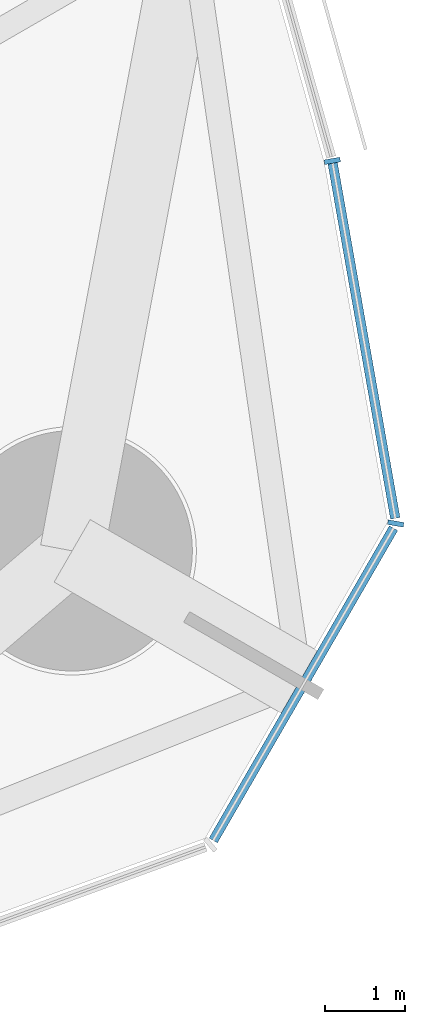
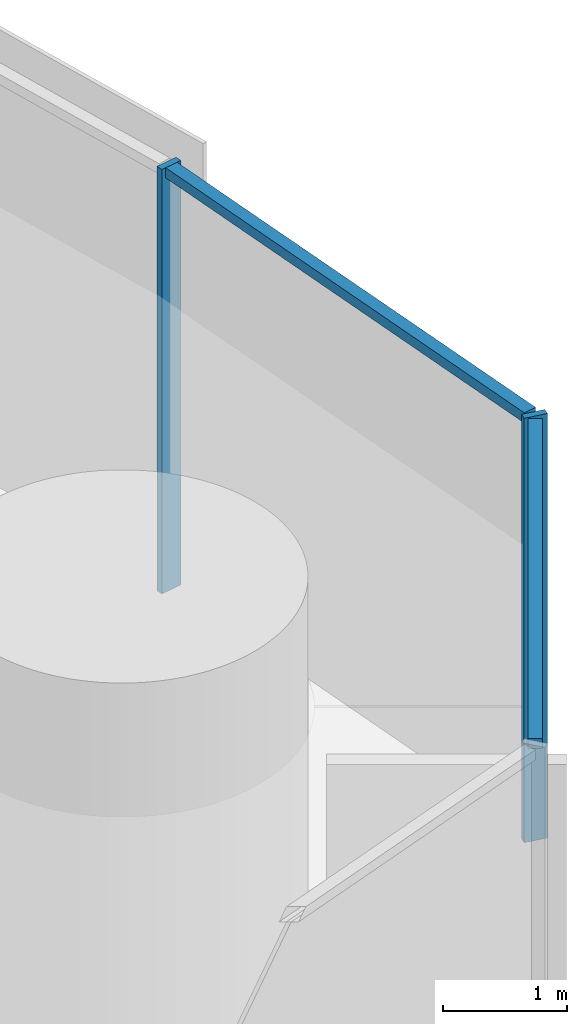
# One storey, part 9 of 19: 4 members, 1 element without a shape of its own.
"""IFC4 building model written with IfcOpenShell, lengths in metres."""

import ifcopenshell
import ifcopenshell.guid

model = None  # the IFC model being written
_history = None  # IfcOwnerHistory: only IFC2X3 demands one
_inside = {}  # id of a spatial element -> (the spatial element, [elements in it])
_under = {}  # id of a project, library or spatial element -> (it, [spatial elements below it])
_declared = {}  # id of a project -> (the project, [libraries it declares])
_typed = {}  # id of a type object -> (the type object, [elements of that type])
_made_of = {}  # id of a material, layer set ... -> (it, [elements and type objects made of it])


def new_model(schema):
    """Start an empty IFC model of exactly this schema.

    Asked for "IFC4X3", IfcOpenShell would pick the latest addendum, in which some entities
    have other attributes; the version numbers below select the first issue.
    IFC2X3 requires an IfcOwnerHistory on every rooted entity: one is made here for all.
    """
    global model, _history
    if schema == "IFC4X3":
        model = ifcopenshell.file(schema_version=(4, 3, 0, 0))
    else:
        model = ifcopenshell.file(schema=schema)
    _inside.clear()
    _under.clear()
    _declared.clear()
    _typed.clear()
    _made_of.clear()
    _history = None
    if model.schema == "IFC2X3":
        org = make("IfcOrganization", Name="unknown")
        user = make(
            "IfcPersonAndOrganization",
            ThePerson=make("IfcPerson", FamilyName="unknown"),
            TheOrganization=org,
        )
        app = make(
            "IfcApplication",
            ApplicationDeveloper=org,
            Version="unknown",
            ApplicationFullName="unknown",
            ApplicationIdentifier="unknown",
        )
        _history = make(
            "IfcOwnerHistory",
            OwningUser=user,
            OwningApplication=app,
            ChangeAction="ADDED",
            CreationDate=0,
        )
    return model


def make(cls, **values):
    """One entity of the class cls with the attributes given. An attribute that is None is left unset."""
    return model.create_entity(
        cls, **{name: value for name, value in values.items() if value is not None}
    )


def rooted(cls, **values):
    """An entity with a GlobalId (a new one), such as an element, a storey or a relation."""
    return make(cls, GlobalId=ifcopenshell.guid.new(), OwnerHistory=_history, **values)


def si_unit(unit_type, name, prefix=None):
    """IfcSIUnit, for example si_unit("LENGTHUNIT", "METRE", prefix="MILLI")."""
    return make("IfcSIUnit", UnitType=unit_type, Prefix=prefix, Name=name)


def assignment(units):
    """IfcUnitAssignment: the units of a project."""
    return None if units is None else make("IfcUnitAssignment", Units=units)


def point(xyz):
    """IfcCartesianPoint."""
    return None if xyz is None else make("IfcCartesianPoint", Coordinates=xyz)


def direction(xyz):
    """IfcDirection."""
    return None if xyz is None else make("IfcDirection", DirectionRatios=xyz)


def frame(location, z_axis=None, x_axis=None):
    """IfcAxis2Placement3D, a coordinate frame: its origin and axes. An axis left out is left unset."""
    return make(
        "IfcAxis2Placement3D",
        Location=point(location),
        Axis=direction(z_axis),
        RefDirection=direction(x_axis),
    )


def frame_2d(location, x_axis=None):
    """IfcAxis2Placement2D, a coordinate frame in the plane: its origin and x axis."""
    return make(
        "IfcAxis2Placement2D", Location=point(location), RefDirection=direction(x_axis)
    )


def origin():
    """The frame at (0, 0, 0) with its axes left unset."""
    return frame((0.0, 0.0, 0.0))


def origin_2d():
    """The frame at (0, 0) in the plane with its x axis left unset."""
    return frame_2d((0.0, 0.0))


def place(relative_to, where):
    """IfcLocalPlacement: puts the frame where relative to a parent placement (None: the world)."""
    return make(
        "IfcLocalPlacement", PlacementRelTo=relative_to, RelativePlacement=where
    )


def context(
    kind, dimensions, precision=None, world=None, true_north=None, identifier=None
):
    """IfcGeometricRepresentationContext, for example the 3D "Model" context."""
    return make(
        "IfcGeometricRepresentationContext",
        ContextIdentifier=identifier,
        ContextType=kind,
        CoordinateSpaceDimension=dimensions,
        Precision=precision,
        WorldCoordinateSystem=world,
        TrueNorth=true_north,
    )


def subcontext(parent, identifier, kind, view, scale=None):
    """IfcGeometricRepresentationSubContext, for example "Body" below "Model"."""
    return make(
        "IfcGeometricRepresentationSubContext",
        ContextIdentifier=identifier,
        ContextType=kind,
        ParentContext=parent,
        TargetScale=scale,
        TargetView=view,
    )


def project(units=None, contexts=None):
    """IfcProject with its units and contexts."""
    return rooted(
        "IfcProject",
        Name="project",
        RepresentationContexts=contexts,
        UnitsInContext=assignment(units),
    )


def spatial(cls, under=None, at=None, **own):
    """A site, building, storey or space (cls), placed at a placement, below another one or the project."""
    s = rooted(cls, ObjectPlacement=at, **own)
    if under is not None:
        _under.setdefault(under.id(), (under, []))[1].append(s)
    return s


def profile(cls, at=None, kind="AREA", **sizes):
    """A parametric profile (cls). Its sizes go by their IFC names, for example OverallWidth=200.0."""
    return make(cls, ProfileType=kind, Position=at, **sizes)


def rectangle(**sizes):
    """IfcRectangleProfileDef."""
    return profile("IfcRectangleProfileDef", **sizes)


def extrude(swept, where, along, depth):
    """IfcExtrudedAreaSolid: the profile swept, set in the frame where, extruded along a direction by depth."""
    return make(
        "IfcExtrudedAreaSolid",
        SweptArea=swept,
        Position=where,
        ExtrudedDirection=direction(along),
        Depth=depth,
    )


def shape(context_of_items, identifier, shape_type, items):
    """IfcShapeRepresentation: the items that make up one representation, for example the "Body"."""
    return make(
        "IfcShapeRepresentation",
        ContextOfItems=context_of_items,
        RepresentationIdentifier=identifier,
        RepresentationType=shape_type,
        Items=items,
    )


def material(Name=None, Category=None):
    """IfcMaterial."""
    return make("IfcMaterial", Name=Name, Category=Category)


def material_profile(
    of_material, cross_section, Name=None, Category=None, Priority=None
):
    """IfcMaterialProfile: a cross section and its material."""
    return make(
        "IfcMaterialProfile",
        Name=Name,
        Material=of_material,
        Profile=cross_section,
        Priority=Priority,
        Category=Category,
    )


def profile_set(profiles, Name=None, composite=None):
    """IfcMaterialProfileSet."""
    return make(
        "IfcMaterialProfileSet",
        Name=Name,
        MaterialProfiles=profiles,
        CompositeProfile=composite,
    )


def made_of(thing, what):
    """Note that an element or type object is made of a material, layer set ...; save() writes the relation."""
    if what is not None:
        _made_of.setdefault(what.id(), (what, []))[1].append(thing)
    return thing


def type_object(cls, material=None, **own):
    """A type object (cls), such as IfcWallType, which elements share."""
    return made_of(rooted(cls, **own), material)


def element(
    cls,
    number,
    at=None,
    inside=None,
    cuts=None,
    type_object=None,
    material=None,
    context=None,
    identifier="Body",
    shape_type=None,
    held_by="IfcProductDefinitionShape",
    body=None,
    shapes=None,
    **own,
):
    """One element of the class cls, such as IfcWall. Its Tag is "e" and its number.

    at: its placement. inside: the storey or other place that contains it. cuts: it is an
    opening in that element (IfcRelVoidsElement). A single representation is given by context,
    identifier, shape_type and body (its items); several are given by shapes. held_by: the class
    of the entity that holds the representations. save() writes the other relations.
    """
    e = rooted(cls, Tag="e%d" % number, ObjectPlacement=at, **own)
    if body is not None:
        shapes = [shape(context, identifier, shape_type, body)]
    if shapes is not None:
        e.Representation = make(held_by, Representations=shapes)
    if inside is not None:
        _inside.setdefault(inside.id(), (inside, []))[1].append(e)
    if cuts is not None:
        rooted(
            "IfcRelVoidsElement", RelatingBuildingElement=cuts, RelatedOpeningElement=e
        )
    if type_object is not None:
        _typed.setdefault(type_object.id(), (type_object, []))[1].append(e)
    return made_of(e, material)


def aggregate(whole, parts):
    """IfcRelAggregates: a whole, such as a stair, and the parts it consists of."""
    return rooted("IfcRelAggregates", RelatingObject=whole, RelatedObjects=parts)


def save(model, path):
    """Write the relations noted so far, then the file.

    IfcRelAggregates (storeys below a building ...), IfcRelContainedInSpatialStructure (elements
    in a storey), IfcRelDefinesByType, IfcRelAssociatesMaterial and IfcRelDeclares: one each for
    every whole, place, type object, material and project.
    """
    for whole, parts in _under.values():
        aggregate(whole, parts)
    for where, things in _inside.values():
        rooted(
            "IfcRelContainedInSpatialStructure",
            RelatedElements=things,
            RelatingStructure=where,
        )
    for kind, things in _typed.values():
        rooted("IfcRelDefinesByType", RelatedObjects=things, RelatingType=kind)
    for what, things in _made_of.values():
        rooted("IfcRelAssociatesMaterial", RelatedObjects=things, RelatingMaterial=what)
    for by, libraries in _declared.values():
        rooted("IfcRelDeclares", RelatingContext=by, RelatedDefinitions=libraries)
    model.write(path)


model = new_model("IFC4")

# Units and contexts
model_context = context("Model", 3, precision=1e-05, world=origin(), true_north=direction((0.0, 1.0)))
body_context = subcontext(model_context, "Body", "Model", "MODEL_VIEW")
ifc_project = project(units=[si_unit("LENGTHUNIT", "METRE"), si_unit("AREAUNIT", "SQUARE_METRE"), si_unit("VOLUMEUNIT", "CUBIC_METRE"), si_unit("PLANEANGLEUNIT", "RADIAN"), si_unit("MASSUNIT", "GRAM", prefix="KILO")], contexts=[model_context])

# Site, building, storey
site_placement = place(None, origin())
site = spatial("IfcSite", under=ifc_project, at=site_placement, CompositionType="ELEMENT")
building_placement = place(site_placement, origin())
building = spatial("IfcBuilding", under=site, at=building_placement, Name="Trefoil Bronze Tower", CompositionType="ELEMENT")
storey_placement = place(building_placement, frame((0.0, 0.0, 256.89990234375)))
storey = spatial("IfcBuildingStorey", under=building, at=storey_placement, Name="L59", CompositionType="ELEMENT", Elevation=256.89990234375)

# Curtain wall, members
ifc_material_1 = material(Name="Tinted solar-control glass", Category="glass")
curtain_wall_type = type_object("IfcCurtainWallType", Name="Bronze rounded corner curtain wall", PredefinedType="USERDEFINED", material=ifc_material_1)
curtain_wall_placement = place(storey_placement, origin())
curtain_wall = element("IfcCurtainWall", 1, at=curtain_wall_placement, inside=storey, type_object=curtain_wall_type, Name="CW-B L59 K1", ObjectType="CURTAIN WALL", PredefinedType="USERDEFINED")
ifc_material_2 = material(Name="Bronze-finish aluminium", Category="aluminium")
ifc_material_profile_1 = material_profile(ifc_material_2, rectangle(XDim=0.199951171875, YDim=0.06005859375, at=origin_2d()), Name="CW-B mullion")
ifc_profile_set_1 = profile_set([ifc_material_profile_1], Name="Bronze-finish aluminium")
member_type_1 = type_object("IfcMemberType", Name="Bronze rounded corner curtain wall mullion", PredefinedType="MULLION", material=ifc_profile_set_1)
member_1_placement = place(storey_placement, frame((32.616943359375, -16.158935546875, 0.0), z_axis=(0.0, 0.0, 1.0), x_axis=(-0.984807753012, 0.173648177667, 0.0)))
member_1 = element("IfcMember", 2, at=member_1_placement, type_object=member_type_1, Name="CW-B L59 K1 mullion 3", PredefinedType="MULLION", context=body_context, shape_type="SweptSolid", body=[
    extrude(rectangle(XDim=0.199951171875, YDim=0.06005859375, at=origin_2d()), origin(), (0.0, 0.0, 1.0), 4.18017578125),
])
member_2_placement = place(storey_placement, frame((31.824951171875, -11.63330078125, 0.0), z_axis=(0.0, 0.0, 1.0), x_axis=(-0.984807753012, -0.173648177667, 0.0)))
member_2 = element("IfcMember", 3, at=member_2_placement, type_object=member_type_1, Name="CW-B L59 K1 mullion 4", PredefinedType="MULLION", context=body_context, shape_type="SweptSolid", body=[
    extrude(rectangle(XDim=0.199951171875, YDim=0.06005859375, at=origin_2d()), origin(), (0.0, 0.0, 1.0), 4.18017578125),
])
ifc_material_3 = material(Name="Bronze-finish aluminium", Category="aluminium")
ifc_material_profile_2 = material_profile(ifc_material_3, rectangle(XDim=0.1201171875, YDim=0.10009765625, at=origin_2d()), Name="CW-B transom")
ifc_profile_set_2 = profile_set([ifc_material_profile_2], Name="Bronze-finish aluminium")
member_type_2 = type_object("IfcMemberType", Name="Bronze rounded corner curtain wall transom", PredefinedType="USERDEFINED", material=ifc_profile_set_2)
member_3_placement = place(storey_placement, frame((30.33984375, -20.114990234375, 4.130126953125), z_axis=(0.500007335828, 0.866021168401, 0.0), x_axis=(-0.866021168401, 0.500007335828, 0.0)))
member_3 = element("IfcMember", 4, at=member_3_placement, type_object=member_type_2, Name="CW-B L59 K1 transom 2", ObjectType="TRANSOM", PredefinedType="USERDEFINED", context=body_context, shape_type="SweptSolid", body=[
    extrude(rectangle(XDim=0.1201171875, YDim=0.10009765625, at=origin_2d()), origin(), (0.0, 0.0, 1.0), 4.50048828125),
])
member_4_placement = place(storey_placement, frame((32.611572265625, -16.0947265625, 4.130126953125), z_axis=(-0.173655350028, 0.984806488304, 0.0), x_axis=(-0.984806488304, -0.173655350028, 0.0)))
member_4 = element("IfcMember", 5, at=member_4_placement, type_object=member_type_2, Name="CW-B L59 K1 transom 3", ObjectType="TRANSOM", PredefinedType="USERDEFINED", context=body_context, shape_type="SweptSolid", body=[
    extrude(rectangle(XDim=0.1201171875, YDim=0.10009765625, at=origin_2d()), origin(), (0.0, 0.0, 1.0), 4.500244140625),
])
aggregate(curtain_wall, [member_1, member_2, member_3, member_4])

save(model, "model.ifc")
